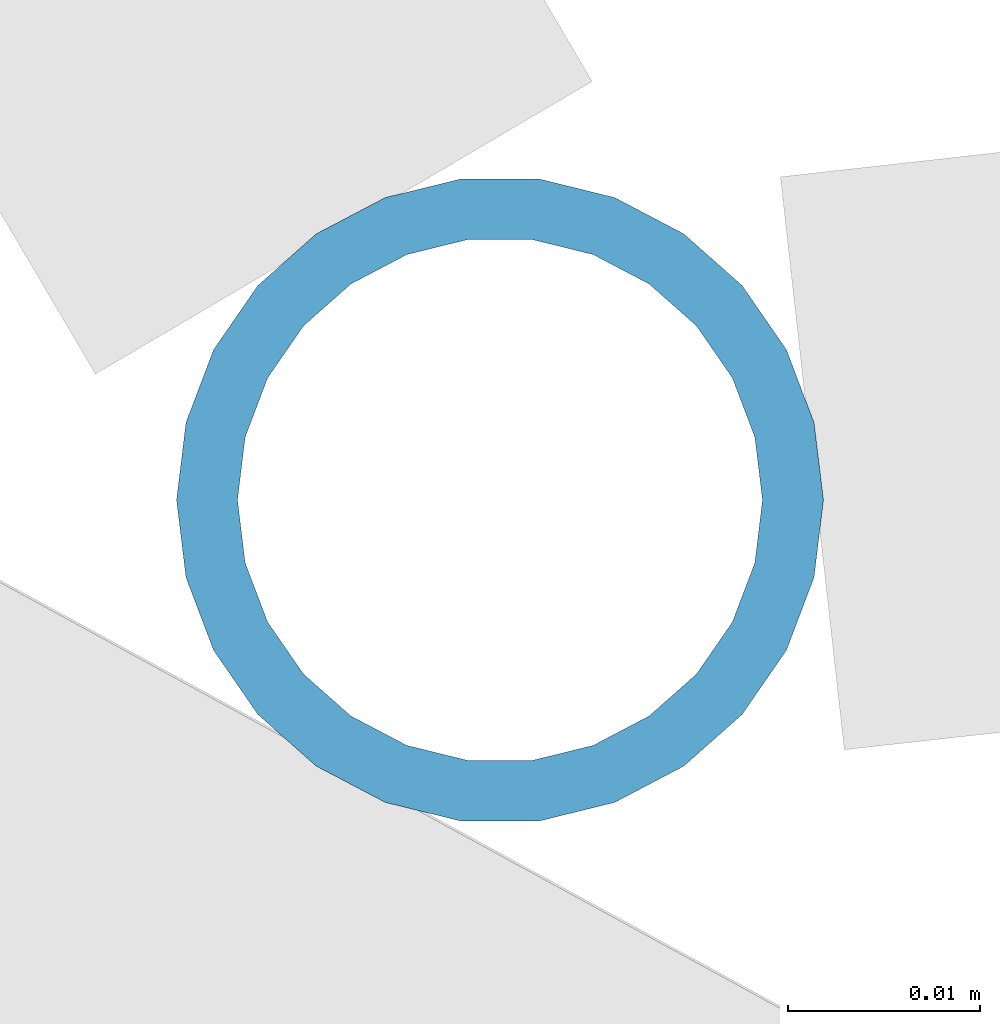
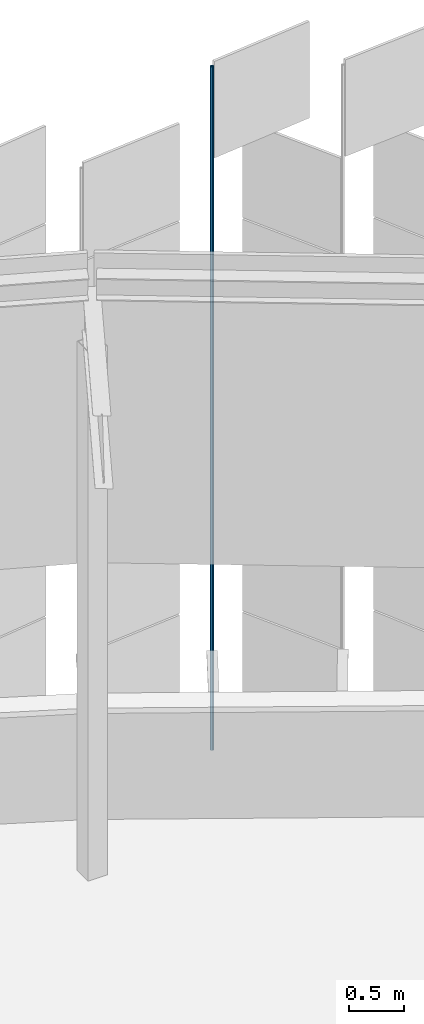
# One storey, part 402 of 483: 1 discrete accessory.
"""IFC4 building model written with IfcOpenShell, lengths in metres."""

import ifcopenshell
import ifcopenshell.guid

model = None  # the IFC model being written
_history = None  # IfcOwnerHistory: only IFC2X3 demands one
_inside = {}  # id of a spatial element -> (the spatial element, [elements in it])
_under = {}  # id of a project, library or spatial element -> (it, [spatial elements below it])
_declared = {}  # id of a project -> (the project, [libraries it declares])
_typed = {}  # id of a type object -> (the type object, [elements of that type])
_made_of = {}  # id of a material, layer set ... -> (it, [elements and type objects made of it])


def new_model(schema):
    """Start an empty IFC model of exactly this schema.

    Asked for "IFC4X3", IfcOpenShell would pick the latest addendum, in which some entities
    have other attributes; the version numbers below select the first issue.
    IFC2X3 requires an IfcOwnerHistory on every rooted entity: one is made here for all.
    """
    global model, _history
    if schema == "IFC4X3":
        model = ifcopenshell.file(schema_version=(4, 3, 0, 0))
    else:
        model = ifcopenshell.file(schema=schema)
    _inside.clear()
    _under.clear()
    _declared.clear()
    _typed.clear()
    _made_of.clear()
    _history = None
    if model.schema == "IFC2X3":
        org = make("IfcOrganization", Name="unknown")
        user = make(
            "IfcPersonAndOrganization",
            ThePerson=make("IfcPerson", FamilyName="unknown"),
            TheOrganization=org,
        )
        app = make(
            "IfcApplication",
            ApplicationDeveloper=org,
            Version="unknown",
            ApplicationFullName="unknown",
            ApplicationIdentifier="unknown",
        )
        _history = make(
            "IfcOwnerHistory",
            OwningUser=user,
            OwningApplication=app,
            ChangeAction="ADDED",
            CreationDate=0,
        )
    return model


def make(cls, **values):
    """One entity of the class cls with the attributes given. An attribute that is None is left unset."""
    return model.create_entity(
        cls, **{name: value for name, value in values.items() if value is not None}
    )


def rooted(cls, **values):
    """An entity with a GlobalId (a new one), such as an element, a storey or a relation."""
    return make(cls, GlobalId=ifcopenshell.guid.new(), OwnerHistory=_history, **values)


def si_unit(unit_type, name, prefix=None):
    """IfcSIUnit, for example si_unit("LENGTHUNIT", "METRE", prefix="MILLI")."""
    return make("IfcSIUnit", UnitType=unit_type, Prefix=prefix, Name=name)


def assignment(units):
    """IfcUnitAssignment: the units of a project."""
    return None if units is None else make("IfcUnitAssignment", Units=units)


def point(xyz):
    """IfcCartesianPoint."""
    return None if xyz is None else make("IfcCartesianPoint", Coordinates=xyz)


def direction(xyz):
    """IfcDirection."""
    return None if xyz is None else make("IfcDirection", DirectionRatios=xyz)


def frame(location, z_axis=None, x_axis=None):
    """IfcAxis2Placement3D, a coordinate frame: its origin and axes. An axis left out is left unset."""
    return make(
        "IfcAxis2Placement3D",
        Location=point(location),
        Axis=direction(z_axis),
        RefDirection=direction(x_axis),
    )


def frame_2d(location, x_axis=None):
    """IfcAxis2Placement2D, a coordinate frame in the plane: its origin and x axis."""
    return make(
        "IfcAxis2Placement2D", Location=point(location), RefDirection=direction(x_axis)
    )


def origin():
    """The frame at (0, 0, 0) with its axes left unset."""
    return frame((0.0, 0.0, 0.0))


def origin_2d():
    """The frame at (0, 0) in the plane with its x axis left unset."""
    return frame_2d((0.0, 0.0))


def place(relative_to, where):
    """IfcLocalPlacement: puts the frame where relative to a parent placement (None: the world)."""
    return make(
        "IfcLocalPlacement", PlacementRelTo=relative_to, RelativePlacement=where
    )


def context(
    kind, dimensions, precision=None, world=None, true_north=None, identifier=None
):
    """IfcGeometricRepresentationContext, for example the 3D "Model" context."""
    return make(
        "IfcGeometricRepresentationContext",
        ContextIdentifier=identifier,
        ContextType=kind,
        CoordinateSpaceDimension=dimensions,
        Precision=precision,
        WorldCoordinateSystem=world,
        TrueNorth=true_north,
    )


def subcontext(parent, identifier, kind, view, scale=None):
    """IfcGeometricRepresentationSubContext, for example "Body" below "Model"."""
    return make(
        "IfcGeometricRepresentationSubContext",
        ContextIdentifier=identifier,
        ContextType=kind,
        ParentContext=parent,
        TargetScale=scale,
        TargetView=view,
    )


def project(units=None, contexts=None):
    """IfcProject with its units and contexts."""
    return rooted(
        "IfcProject",
        Name="project",
        RepresentationContexts=contexts,
        UnitsInContext=assignment(units),
    )


def spatial(cls, under=None, at=None, **own):
    """A site, building, storey or space (cls), placed at a placement, below another one or the project."""
    s = rooted(cls, ObjectPlacement=at, **own)
    if under is not None:
        _under.setdefault(under.id(), (under, []))[1].append(s)
    return s


def profile(cls, at=None, kind="AREA", **sizes):
    """A parametric profile (cls). Its sizes go by their IFC names, for example OverallWidth=200.0."""
    return make(cls, ProfileType=kind, Position=at, **sizes)


def hollow_circle(**sizes):
    """IfcCircleHollowProfileDef."""
    return profile("IfcCircleHollowProfileDef", **sizes)


def extrude(swept, where, along, depth):
    """IfcExtrudedAreaSolid: the profile swept, set in the frame where, extruded along a direction by depth."""
    return make(
        "IfcExtrudedAreaSolid",
        SweptArea=swept,
        Position=where,
        ExtrudedDirection=direction(along),
        Depth=depth,
    )


def shape(context_of_items, identifier, shape_type, items):
    """IfcShapeRepresentation: the items that make up one representation, for example the "Body"."""
    return make(
        "IfcShapeRepresentation",
        ContextOfItems=context_of_items,
        RepresentationIdentifier=identifier,
        RepresentationType=shape_type,
        Items=items,
    )


def material(Name=None, Category=None):
    """IfcMaterial."""
    return make("IfcMaterial", Name=Name, Category=Category)


def material_profile(
    of_material, cross_section, Name=None, Category=None, Priority=None
):
    """IfcMaterialProfile: a cross section and its material."""
    return make(
        "IfcMaterialProfile",
        Name=Name,
        Material=of_material,
        Profile=cross_section,
        Priority=Priority,
        Category=Category,
    )


def profile_set(profiles, Name=None, composite=None):
    """IfcMaterialProfileSet."""
    return make(
        "IfcMaterialProfileSet",
        Name=Name,
        MaterialProfiles=profiles,
        CompositeProfile=composite,
    )


def made_of(thing, what):
    """Note that an element or type object is made of a material, layer set ...; save() writes the relation."""
    if what is not None:
        _made_of.setdefault(what.id(), (what, []))[1].append(thing)
    return thing


def type_object(cls, material=None, **own):
    """A type object (cls), such as IfcWallType, which elements share."""
    return made_of(rooted(cls, **own), material)


def element(
    cls,
    number,
    at=None,
    inside=None,
    cuts=None,
    type_object=None,
    material=None,
    context=None,
    identifier="Body",
    shape_type=None,
    held_by="IfcProductDefinitionShape",
    body=None,
    shapes=None,
    **own,
):
    """One element of the class cls, such as IfcWall. Its Tag is "e" and its number.

    at: its placement. inside: the storey or other place that contains it. cuts: it is an
    opening in that element (IfcRelVoidsElement). A single representation is given by context,
    identifier, shape_type and body (its items); several are given by shapes. held_by: the class
    of the entity that holds the representations. save() writes the other relations.
    """
    e = rooted(cls, Tag="e%d" % number, ObjectPlacement=at, **own)
    if body is not None:
        shapes = [shape(context, identifier, shape_type, body)]
    if shapes is not None:
        e.Representation = make(held_by, Representations=shapes)
    if inside is not None:
        _inside.setdefault(inside.id(), (inside, []))[1].append(e)
    if cuts is not None:
        rooted(
            "IfcRelVoidsElement", RelatingBuildingElement=cuts, RelatedOpeningElement=e
        )
    if type_object is not None:
        _typed.setdefault(type_object.id(), (type_object, []))[1].append(e)
    return made_of(e, material)


def aggregate(whole, parts):
    """IfcRelAggregates: a whole, such as a stair, and the parts it consists of."""
    return rooted("IfcRelAggregates", RelatingObject=whole, RelatedObjects=parts)


def save(model, path):
    """Write the relations noted so far, then the file.

    IfcRelAggregates (storeys below a building ...), IfcRelContainedInSpatialStructure (elements
    in a storey), IfcRelDefinesByType, IfcRelAssociatesMaterial and IfcRelDeclares: one each for
    every whole, place, type object, material and project.
    """
    for whole, parts in _under.values():
        aggregate(whole, parts)
    for where, things in _inside.values():
        rooted(
            "IfcRelContainedInSpatialStructure",
            RelatedElements=things,
            RelatingStructure=where,
        )
    for kind, things in _typed.values():
        rooted("IfcRelDefinesByType", RelatedObjects=things, RelatingType=kind)
    for what, things in _made_of.values():
        rooted("IfcRelAssociatesMaterial", RelatedObjects=things, RelatingMaterial=what)
    for by, libraries in _declared.values():
        rooted("IfcRelDeclares", RelatingContext=by, RelatedDefinitions=libraries)
    model.write(path)


model = new_model("IFC4")

# Units and contexts
model_context = context("Model", 3, precision=1e-05, world=origin(), true_north=direction((0.0, 1.0)))
body_context = subcontext(model_context, "Body", "Model", "MODEL_VIEW")
ifc_project = project(units=[si_unit("LENGTHUNIT", "METRE"), si_unit("AREAUNIT", "SQUARE_METRE"), si_unit("VOLUMEUNIT", "CUBIC_METRE"), si_unit("PLANEANGLEUNIT", "RADIAN"), si_unit("MASSUNIT", "GRAM", prefix="KILO")], contexts=[model_context])

# Site, building, storey
site_placement = place(None, origin())
site = spatial("IfcSite", under=ifc_project, at=site_placement, CompositionType="ELEMENT")
building_placement = place(site_placement, origin())
building = spatial("IfcBuilding", under=site, at=building_placement, Name="Parallax Yard Mobility Hub", CompositionType="ELEMENT")
storey_placement = place(building_placement, frame((0.0, 0.0, 13.199951171875)))
storey = spatial("IfcBuildingStorey", under=building, at=storey_placement, Name="L04", CompositionType="ELEMENT", Elevation=13.199951171875)

# Discrete accessory
ifc_material = material(Name="Steel ASTM A500 Gr C, hot-dip galvanised", Category="steel")
ifc_material_profile = material_profile(ifc_material, hollow_circle(Radius=0.016845703125, WallThickness=0.003173828125, at=origin_2d()), Name="CHS 33.7x3.2")
ifc_profile_set = profile_set([ifc_material_profile], Name="Steel ASTM A500 Gr C, hot-dip galvanised")
discrete_accessory_type = type_object("IfcDiscreteAccessoryType", Name="Hinge post CHS 33.7x3.2", PredefinedType="BRACKET", material=ifc_profile_set)
discrete_accessory_placement = place(storey_placement, frame((197.768798828125, 136.951416015625, 0.0), z_axis=(0.0, 0.0, 1.0), x_axis=(1.0, 0.0, 0.0)))
element("IfcDiscreteAccessory", 1, at=discrete_accessory_placement, inside=storey, type_object=discrete_accessory_type, Name="Hinge post bay 47.7 level L04", PredefinedType="BRACKET", context=body_context, shape_type="SweptSolid", body=[
    extrude(hollow_circle(Radius=0.016845703125, WallThickness=0.003173828125, at=origin_2d()), origin(), (0.0, 0.0, 1.0), 7.650146484375),
])

save(model, "model.ifc")
